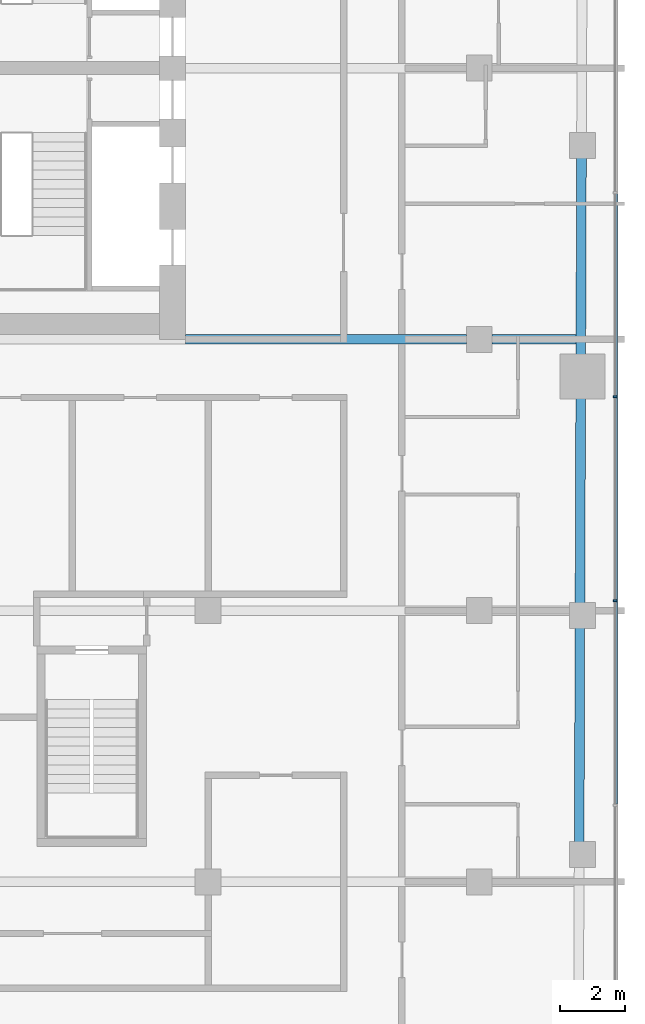
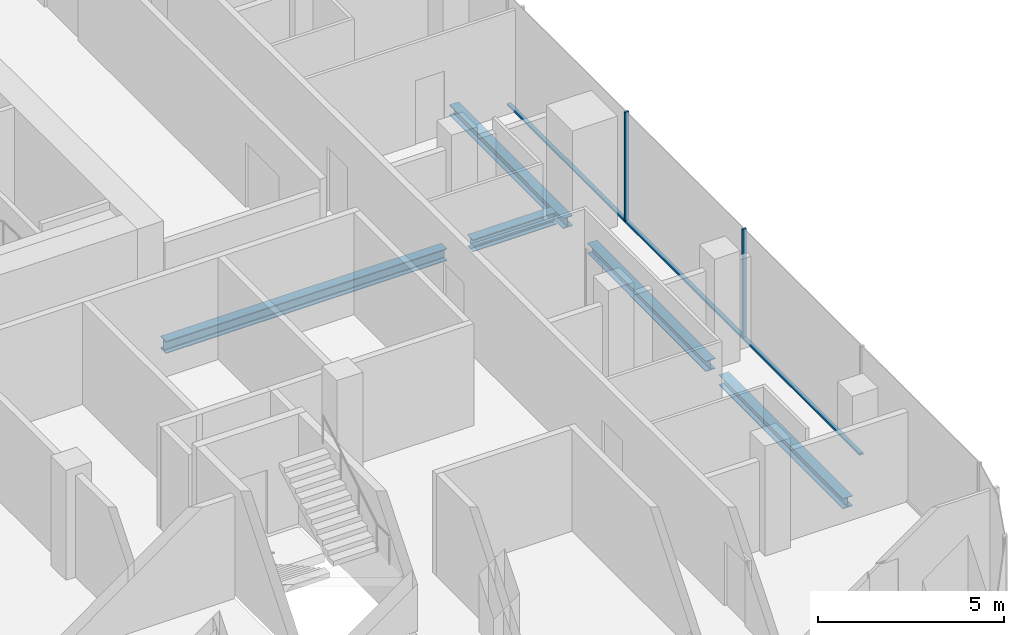
# One storey, part 7 of 22: 5 beams, 5 members, 1 element without a shape of its own.
"""IFC4 building model written with IfcOpenShell, lengths in metres."""

from ifc_helpers import new_model, si_unit, direction, frame, origin, origin_2d, place, context, subcontext, project, spatial, rectangle, i_section, extrude, material, layer, layer_set, material_profile, profile_set, type_object, element, aggregate, save


model = new_model("IFC4")

# Units and contexts
model_context = context("Model", 3, precision=1e-05, world=origin(), true_north=direction((0.0, 1.0)))
body_context = subcontext(model_context, "Body", "Model", "MODEL_VIEW")
ifc_project = project(units=[si_unit("LENGTHUNIT", "METRE"), si_unit("AREAUNIT", "SQUARE_METRE"), si_unit("VOLUMEUNIT", "CUBIC_METRE"), si_unit("PLANEANGLEUNIT", "RADIAN"), si_unit("MASSUNIT", "GRAM", prefix="KILO")], contexts=[model_context])

# Site, building, storey
site_placement = place(None, origin())
site = spatial("IfcSite", under=ifc_project, at=site_placement, CompositionType="ELEMENT")
building_placement = place(site_placement, origin())
building = spatial("IfcBuilding", under=site, at=building_placement, Name="Marenta Gate Hotel Tower", CompositionType="ELEMENT")
storey_placement = place(building_placement, frame((0.0, 0.0, 238.10009765625)))
storey = spatial("IfcBuildingStorey", under=building, at=storey_placement, Name="L56", CompositionType="ELEMENT", Elevation=238.10009765625)

# Beams
ifc_material_1 = material(Name="Steel S355", Category="steel")
ifc_material_profile_1 = material_profile(ifc_material_1, i_section(OverallWidth=0.300048828125, OverallDepth=0.340087890625, WebThickness=0.011962890625, FlangeThickness=0.021484375, FilletRadius=0.027099609375, at=origin_2d()), Name="HEB 340")
ifc_profile_set_1 = profile_set([ifc_material_profile_1], Name="Steel S355")
beam_type_1 = type_object("IfcBeamType", Name="Edge beam HEB 340", PredefinedType="SPANDREL", material=ifc_profile_set_1)
beam_1_placement = place(storey_placement, frame((24.164306640625, 5.643310546875, -0.43017578125), z_axis=(-0.003303859048, -0.999994542243, 0.0), x_axis=(0.999994542243, -0.003303859048, 0.0)))
element("IfcBeam", 1, at=beam_1_placement, inside=storey, type_object=beam_type_1, Name="L56-EB-24", PredefinedType="SPANDREL", context=body_context, shape_type="SweptSolid", body=[
    extrude(i_section(OverallWidth=0.300048828125, OverallDepth=0.340087890625, WebThickness=0.011962890625, FlangeThickness=0.021484375, FilletRadius=0.027099609375, at=origin_2d()), origin(), (0.0, 0.0, 1.0), 6.13330078125),
])
beam_2_placement = place(storey_placement, frame((24.1396484375, -1.81005859375, -0.43017578125), z_axis=(-0.003328723523, -0.999994459785, 0.0), x_axis=(0.999994459785, -0.003328723523, 0.0)))
element("IfcBeam", 2, at=beam_2_placement, inside=storey, type_object=beam_type_1, Name="L56-EB-25", PredefinedType="SPANDREL", context=body_context, shape_type="SweptSolid", body=[
    extrude(i_section(OverallWidth=0.300048828125, OverallDepth=0.340087890625, WebThickness=0.011962890625, FlangeThickness=0.021484375, FilletRadius=0.027099609375, at=origin_2d()), origin(), (0.0, 0.0, 1.0), 6.380859375),
])
beam_3_placement = place(storey_placement, frame((24.115966796875, -8.910888671875, -0.43017578125), z_axis=(-0.00332539729, -0.999994470851, 0.0), x_axis=(0.999994470851, -0.00332539729, 0.0)))
element("IfcBeam", 3, at=beam_3_placement, inside=storey, type_object=beam_type_1, Name="L56-EB-26", PredefinedType="SPANDREL", context=body_context, shape_type="SweptSolid", body=[
    extrude(i_section(OverallWidth=0.300048828125, OverallDepth=0.340087890625, WebThickness=0.011962890625, FlangeThickness=0.021484375, FilletRadius=0.027099609375, at=origin_2d()), origin(), (0.0, 0.0, 1.0), 6.680908203125),
])
ifc_material_2 = material(Name="Steel S355", Category="steel")
ifc_material_profile_2 = material_profile(ifc_material_2, i_section(OverallWidth=0.300048828125, OverallDepth=0.39990234375, WebThickness=0.013427734375, FlangeThickness=0.02392578125, FilletRadius=0.027099609375, at=origin_2d()), Name="HEB 400")
ifc_profile_set_2 = profile_set([ifc_material_profile_2], Name="Steel S355")
beam_type_2 = type_object("IfcBeamType", Name="Girder HEB 400", PredefinedType="BEAM", material=ifc_profile_set_2)
beam_4_placement = place(storey_placement, frame((11.89990234375, 0.0, -0.460205078125), z_axis=(1.0, 0.0, 0.0), x_axis=(0.0, 1.0, 0.0)))
element("IfcBeam", 4, at=beam_4_placement, inside=storey, type_object=beam_type_2, Name="L56-GD-23", PredefinedType="BEAM", context=body_context, shape_type="SweptSolid", body=[
    extrude(i_section(OverallWidth=0.300048828125, OverallDepth=0.39990234375, WebThickness=0.013427734375, FlangeThickness=0.02392578125, FilletRadius=0.027099609375, at=origin_2d()), origin(), (0.0, 0.0, 1.0), 8.7001953125),
])
beam_5_placement = place(storey_placement, frame((21.39990234375, 0.0, -0.460205078125), z_axis=(1.0, 0.0, 0.0), x_axis=(0.0, 1.0, 0.0)))
element("IfcBeam", 5, at=beam_5_placement, inside=storey, type_object=beam_type_2, Name="L56-GD-24", PredefinedType="BEAM", context=body_context, shape_type="SweptSolid", body=[
    extrude(i_section(OverallWidth=0.300048828125, OverallDepth=0.39990234375, WebThickness=0.013427734375, FlangeThickness=0.02392578125, FilletRadius=0.027099609375, at=origin_2d()), origin(), (0.0, 0.0, 1.0), 2.595703125),
])

# Curtain wall, members
ifc_material_3 = material(Name="Tinted insulated glass in bronze anodised frame", Category="glass")
ifc_layer = layer(ifc_material_3, 0.1201171875)
ifc_layer_set = layer_set([ifc_layer], Name="Tinted insulated glass in bronze anodised frame")
curtain_wall_type = type_object("IfcCurtainWallType", Name="Tower unitised curtain wall CW1", PredefinedType="NOTDEFINED", material=ifc_layer_set)
curtain_wall_placement = place(storey_placement, origin())
curtain_wall = element("IfcCurtainWall", 6, at=curtain_wall_placement, inside=storey, type_object=curtain_wall_type, Name="CW1 run G11", PredefinedType="NOTDEFINED")
ifc_material_4 = material(Name="Bronze anodised aluminium", Category="aluminium")
ifc_material_profile_3 = material_profile(ifc_material_4, rectangle(XDim=0.1201171875, YDim=0.06005859375, at=origin_2d()), Name="Mullion CW1 60x120 bronze anodised aluminium")
ifc_profile_set_3 = profile_set([ifc_material_profile_3], Name="Bronze anodised aluminium")
member_type_1 = type_object("IfcMemberType", Name="Mullion CW1 60x120 bronze anodised aluminium", PredefinedType="MULLION", material=ifc_profile_set_3)
member_1_placement = place(storey_placement, frame((25.214111328125, -8.0986328125, 0.0), z_axis=(0.0, 0.0, 1.0), x_axis=(-1.0, 0.0, 0.0)))
member_1 = element("IfcMember", 7, at=member_1_placement, type_object=member_type_1, Name="CW1 mullion 3", PredefinedType="MULLION", context=body_context, shape_type="SweptSolid", body=[
    extrude(rectangle(XDim=0.1201171875, YDim=0.06005859375, at=origin_2d()), origin(), (0.0, 0.0, 1.0), 3.599853515625),
])
member_2_placement = place(storey_placement, frame((25.214111328125, -1.77587890625, 0.0), z_axis=(0.0, 0.0, 1.0), x_axis=(-1.0, 0.0, 0.0)))
member_2 = element("IfcMember", 8, at=member_2_placement, type_object=member_type_1, Name="CW1 mullion 4", PredefinedType="MULLION", context=body_context, shape_type="SweptSolid", body=[
    extrude(rectangle(XDim=0.1201171875, YDim=0.06005859375, at=origin_2d()), origin(), (0.0, 0.0, 1.0), 3.599853515625),
])
ifc_material_5 = material(Name="Bronze anodised aluminium", Category="aluminium")
ifc_material_profile_4 = material_profile(ifc_material_5, rectangle(XDim=0.1201171875, YDim=0.06005859375, at=origin_2d()), Name="Transom CW1 60x120 bronze anodised aluminium")
ifc_profile_set_4 = profile_set([ifc_material_profile_4], Name="Bronze anodised aluminium")
member_type_2 = type_object("IfcMemberType", Name="Transom CW1 60x120 bronze anodised aluminium", PredefinedType="USERDEFINED", material=ifc_profile_set_4)
member_3_placement = place(storey_placement, frame((25.214111328125, -14.391357421875, 0.02978515625), z_axis=(0.0, 1.0, 0.0), x_axis=(-1.0, 0.0, 0.0)))
member_3 = element("IfcMember", 9, at=member_3_placement, type_object=member_type_2, Name="CW1 transom 2.1", ObjectType="TRANSOM", PredefinedType="USERDEFINED", context=body_context, shape_type="SweptSolid", body=[
    extrude(rectangle(XDim=0.1201171875, YDim=0.06005859375, at=origin_2d()), origin(), (0.0, 0.0, 1.0), 6.2626953125),
])
member_4_placement = place(storey_placement, frame((25.214111328125, -8.068603515625, 0.02978515625), z_axis=(0.0, 1.0, 0.0), x_axis=(-1.0, 0.0, 0.0)))
member_4 = element("IfcMember", 10, at=member_4_placement, type_object=member_type_2, Name="CW1 transom 3.1", ObjectType="TRANSOM", PredefinedType="USERDEFINED", context=body_context, shape_type="SweptSolid", body=[
    extrude(rectangle(XDim=0.1201171875, YDim=0.06005859375, at=origin_2d()), origin(), (0.0, 0.0, 1.0), 6.2626953125),
])
member_5_placement = place(storey_placement, frame((25.214111328125, -1.74609375, 0.02978515625), z_axis=(0.0, 1.0, 0.0), x_axis=(-1.0, 0.0, 0.0)))
member_5 = element("IfcMember", 11, at=member_5_placement, type_object=member_type_2, Name="CW1 transom 4.1", ObjectType="TRANSOM", PredefinedType="USERDEFINED", context=body_context, shape_type="SweptSolid", body=[
    extrude(rectangle(XDim=0.1201171875, YDim=0.06005859375, at=origin_2d()), origin(), (0.0, 0.0, 1.0), 6.2626953125),
])
aggregate(curtain_wall, [member_1, member_2, member_3, member_4, member_5])

save(model, "model.ifc")
